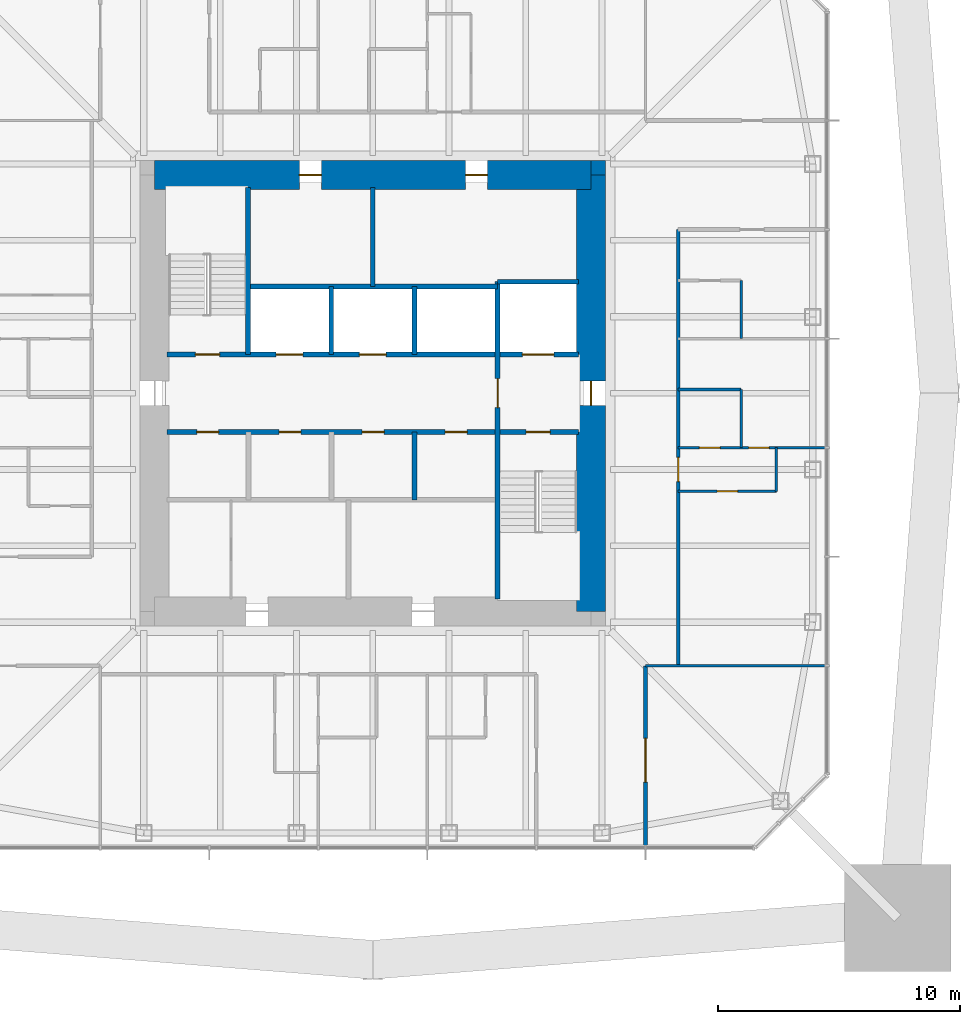
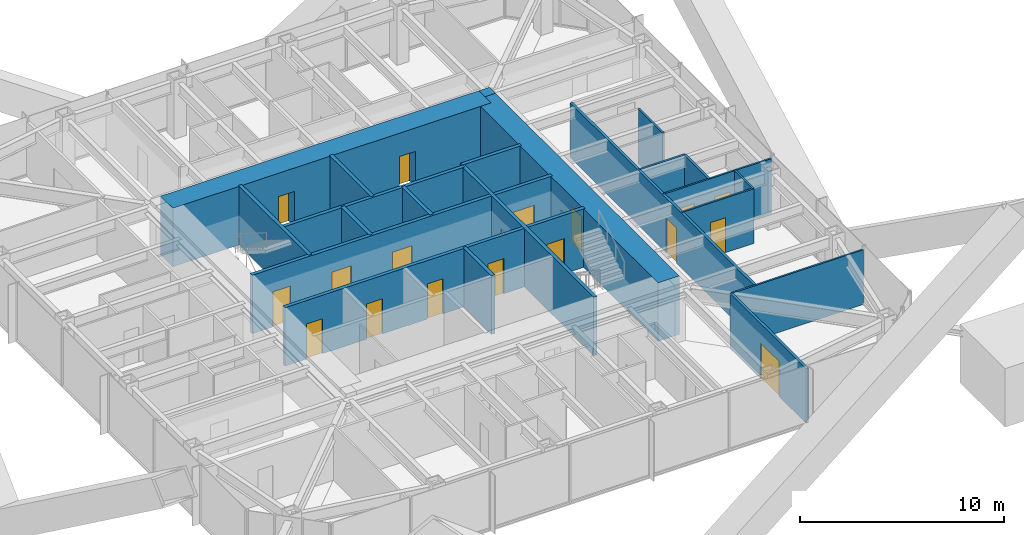
# One storey, part 9 of 13: 22 walls, 18 doors, 18 openings.
"""IFC4 building model written with IfcOpenShell, lengths in metres."""

from ifc_helpers import new_model, si_unit, direction, frame, frame_2d, origin, place, context, subcontext, project, spatial, rectangle, extrude, material, layer, layer_set, type_object, element, fill, save


model = new_model("IFC4")

# Units and contexts
model_context = context("Model", 3, precision=1e-05, world=origin(), true_north=direction((0.0, 1.0)))
body_context = subcontext(model_context, "Body", "Model", "MODEL_VIEW")
ifc_project = project(units=[si_unit("LENGTHUNIT", "METRE"), si_unit("AREAUNIT", "SQUARE_METRE"), si_unit("VOLUMEUNIT", "CUBIC_METRE"), si_unit("PLANEANGLEUNIT", "RADIAN"), si_unit("MASSUNIT", "GRAM", prefix="KILO")], contexts=[model_context])

# Site, building, storey
site_placement = place(None, origin())
site = spatial("IfcSite", under=ifc_project, at=site_placement, CompositionType="ELEMENT")
building_placement = place(site_placement, origin())
building = spatial("IfcBuilding", under=site, at=building_placement, Name="Iwan Alto Co-Living Towers", CompositionType="ELEMENT")
storey_placement = place(building_placement, frame((0.0, 0.0, 167.0)))
storey = spatial("IfcBuildingStorey", under=building, at=storey_placement, Name="L45", CompositionType="ELEMENT", Elevation=167.0)

# Wall, opening, door
ifc_material_1 = material(Name="Gypsum board")
ifc_layer_1 = layer(ifc_material_1, 0.02490234375, Name="Board", Category="Finish")
ifc_material_2 = material(Name="Steel ASTM A1003 ST33H cold-formed studs", Category="steel")
ifc_layer_2 = layer(ifc_material_2, 0.10009765625, Name="Studs", Category="Framing")
ifc_layer_3 = layer(ifc_material_1, 0.02490234375, Name="Board", Category="Finish")
ifc_layer_set_1 = layer_set([ifc_layer_1, ifc_layer_2, ifc_layer_3], Name="CORRIDOR WALL 150")
wall_type_1 = type_object("IfcWallType", Name="CORRIDOR WALL 150", PredefinedType="PARTITIONING", material=ifc_layer_set_1)
wall_1_placement = place(storey_placement, frame((12.60009765625, -11.25, 0.0), z_axis=(0.0, 0.0, 1.0), x_axis=(0.0, 1.0, 0.0)))
wall_1 = element("IfcWall", 1, at=wall_1_placement, inside=storey, type_object=wall_type_1, Name="Partition L45", PredefinedType="PARTITIONING", context=body_context, shape_type="SweptSolid", body=[
    extrude(rectangle(XDim=18.0, YDim=0.14990234375, at=frame_2d((9.0, 0.0))), origin(), (0.0, 0.0, 1.0), 3.27001953125),
])
opening_1_placement = place(wall_1_placement, frame((7.60009765625, 0.0, 0.0)))
opening_1 = element("IfcOpeningElement", 2, at=opening_1_placement, cuts=wall_1, Name="Opening D3", PredefinedType="OPENING", context=body_context, shape_type="SweptSolid", body=[
    extrude(rectangle(XDim=1.0, YDim=2.10009765625, at=frame_2d((0.5, 1.050048828125))), frame((0.0, 0.0849609375, 0.0), z_axis=(0.0, -1.0, 0.0), x_axis=(1.0, 0.0, 0.0)), (0.0, 0.0, 1.0), 0.169921875),
])
ifc_material_3 = material(Name="Steel frame with timber leaf", Category="steel")
door_type_1 = type_object("IfcDoorType", Name="FLAT ENTRANCE DOOR FD30S 1000X2100", OperationType="SINGLE_SWING_LEFT", PredefinedType="DOOR", material=ifc_material_3)
door_1_placement = place(opening_1_placement, frame((1.0, 0.0, 0.0), z_axis=(0.0, 0.0, 1.0), x_axis=(-1.0, 0.0, 0.0)))
door_1 = element("IfcDoor", 3, at=door_1_placement, inside=storey, type_object=door_type_1, Name="Apartment foyer door L45", OperationType="SINGLE_SWING_RIGHT", OverallHeight=2.10009765625, OverallWidth=1.0, PredefinedType="DOOR", context=body_context, shape_type="SweptSolid", body=[
    extrude(rectangle(XDim=1.0, YDim=2.10009765625, at=frame_2d((0.5, 1.050048828125))), frame((0.0, 0.02490234375, 0.0), z_axis=(0.0, -1.0, 0.0), x_axis=(1.0, 0.0, 0.0)), (0.0, 0.0, 1.0), 0.050048828125),
])
fill(opening_1, door_1)

wall_2_placement = place(storey_placement, frame((11.25, -18.68994140625, 0.0), z_axis=(0.0, 0.0, 1.0), x_axis=(0.0, 1.0, 0.0)))
wall_2 = element("IfcWall", 4, at=wall_2_placement, inside=storey, type_object=wall_type_1, Name="Partition L45", PredefinedType="PARTITIONING", context=body_context, shape_type="SweptSolid", body=[
    extrude(rectangle(XDim=7.43994140625, YDim=0.14990234375, at=frame_2d((3.719970703125, 0.0))), origin(), (0.0, 0.0, 1.0), 3.27001953125),
])
opening_2_placement = place(wall_2_placement, frame((2.64501953125, 0.0, 0.0)))
opening_2 = element("IfcOpeningElement", 5, at=opening_2_placement, cuts=wall_2, Name="Opening D9", PredefinedType="OPENING", context=body_context, shape_type="SweptSolid", body=[
    extrude(rectangle(XDim=1.800048828125, YDim=2.10009765625, at=frame_2d((0.89990234375, 1.050048828125))), frame((0.0, 0.0849609375, 0.0), z_axis=(0.0, -1.0, 0.0), x_axis=(1.0, 0.0, 0.0)), (0.0, 0.0, 1.0), 0.169921875),
])
ifc_material_4 = material(Name="Steel frame with timber leaf", Category="steel")
door_type_2 = type_object("IfcDoorType", Name="LOUNGE DOOR FD30S 1800X2100", OperationType="DOUBLE_DOOR_SINGLE_SWING", PredefinedType="DOOR", material=ifc_material_4)
door_2_placement = place(opening_2_placement, frame((1.800048828125, 0.0, 0.0), z_axis=(0.0, 0.0, 1.0), x_axis=(-1.0, 0.0, 0.0)))
door_2 = element("IfcDoor", 6, at=door_2_placement, inside=storey, type_object=door_type_2, Name="Courtyard lounge door L45", OperationType="DOUBLE_DOOR_SINGLE_SWING", OverallHeight=2.10009765625, OverallWidth=1.800048828125, PredefinedType="DOOR", context=body_context, shape_type="SweptSolid", body=[
    extrude(rectangle(XDim=1.800048828125, YDim=2.10009765625, at=frame_2d((0.89990234375, 1.050048828125))), frame((0.0, 0.02490234375, 0.0), z_axis=(0.0, -1.0, 0.0), x_axis=(1.0, 0.0, 0.0)), (0.0, 0.0, 1.0), 0.050048828125),
])
fill(opening_2, door_2)

# Wall
ifc_layer_4 = layer(ifc_material_1, 0.012451171875, Name="Board", Category="Finish")
ifc_layer_5 = layer(ifc_material_2, 0.074951171875, Name="Studs", Category="Framing")
ifc_layer_6 = layer(ifc_material_1, 0.012451171875, Name="Board", Category="Finish")
ifc_layer_set_2 = layer_set([ifc_layer_4, ifc_layer_5, ifc_layer_6], Name="PARTITION 100")
wall_type_2 = type_object("IfcWallType", Name="PARTITION 100", PredefinedType="PARTITIONING", material=ifc_layer_set_2)
wall_3_placement = place(storey_placement, frame((11.25, -11.25, 0.0), z_axis=(0.0, 0.0, 1.0), x_axis=(1.0, 0.0, 0.0)))
element("IfcWall", 7, at=wall_3_placement, inside=storey, type_object=wall_type_2, Name="Partition L45", PredefinedType="PARTITIONING", context=body_context, shape_type="SweptSolid", body=[
    extrude(rectangle(XDim=7.43994140625, YDim=0.10009765625, at=frame_2d((3.719970703125, 0.0))), origin(), (0.0, 0.0, 1.0), 3.27001953125),
])

# Wall, opening, door
wall_4_placement = place(storey_placement, frame((12.60009765625, -4.050048828125, 0.0), z_axis=(0.0, 0.0, 1.0), x_axis=(1.0, 0.0, 0.0)))
wall_4 = element("IfcWall", 8, at=wall_4_placement, inside=storey, type_object=wall_type_2, Name="Partition L45", PredefinedType="PARTITIONING", context=body_context, shape_type="SweptSolid", body=[
    extrude(rectangle(XDim=4.0498046875, YDim=0.10009765625, at=frame_2d((2.02490234375, 0.0))), origin(), (0.0, 0.0, 1.0), 3.27001953125),
])
opening_3_placement = place(wall_4_placement, frame((1.60009765625, 0.0, 0.0)))
opening_3 = element("IfcOpeningElement", 9, at=opening_3_placement, cuts=wall_4, Name="Opening D2", PredefinedType="OPENING", context=body_context, shape_type="SweptSolid", body=[
    extrude(rectangle(XDim=0.85009765625, YDim=2.10009765625, at=frame_2d((0.425048828125, 1.050048828125))), frame((0.0, 0.06005859375, 0.0), z_axis=(0.0, -1.0, 0.0), x_axis=(1.0, 0.0, 0.0)), (0.0, 0.0, 1.0), 0.1201171875),
])
ifc_material_5 = material(Name="Timber leaf in steel frame", Category="steel")
door_type_3 = type_object("IfcDoorType", Name="ROOM DOOR 850X2100", OperationType="SINGLE_SWING_LEFT", PredefinedType="DOOR", material=ifc_material_5)
door_3_placement = place(opening_3_placement, frame((0.85009765625, 0.0, 0.0), z_axis=(0.0, 0.0, 1.0), x_axis=(-1.0, 0.0, 0.0)))
door_3 = element("IfcDoor", 10, at=door_3_placement, inside=storey, type_object=door_type_3, Name="Apartment foyer door L45", OperationType="SINGLE_SWING_RIGHT", OverallHeight=2.10009765625, OverallWidth=0.85009765625, PredefinedType="DOOR", context=body_context, shape_type="SweptSolid", body=[
    extrude(rectangle(XDim=0.85009765625, YDim=2.10009765625, at=frame_2d((0.425048828125, 1.050048828125))), frame((0.0, 0.02490234375, 0.0), z_axis=(0.0, -1.0, 0.0), x_axis=(1.0, 0.0, 0.0)), (0.0, 0.0, 1.0), 0.050048828125),
])
fill(opening_3, door_3)

# Wall, openings, doors
wall_5_placement = place(storey_placement, frame((12.60009765625, -2.25, 0.0), z_axis=(0.0, 0.0, 1.0), x_axis=(1.0, 0.0, 0.0)))
wall_5 = element("IfcWall", 11, at=wall_5_placement, inside=storey, type_object=wall_type_2, Name="Partition L45", PredefinedType="PARTITIONING", context=body_context, shape_type="SweptSolid", body=[
    extrude(rectangle(XDim=6.08984375, YDim=0.10009765625, at=frame_2d((3.044921875, 0.0))), origin(), (0.0, 0.0, 1.0), 3.27001953125),
])
opening_4_placement = place(wall_5_placement, frame((2.89990234375, 0.0, 0.0)))
opening_4 = element("IfcOpeningElement", 12, at=opening_4_placement, cuts=wall_5, Name="Opening D2", PredefinedType="OPENING", context=body_context, shape_type="SweptSolid", body=[
    extrude(rectangle(XDim=0.85009765625, YDim=2.10009765625, at=frame_2d((0.425048828125, 1.050048828125))), frame((0.0, 0.06005859375, 0.0), z_axis=(0.0, -1.0, 0.0), x_axis=(1.0, 0.0, 0.0)), (0.0, 0.0, 1.0), 0.1201171875),
])
opening_5_placement = place(wall_5_placement, frame((0.875, 0.0, 0.0)))
opening_5 = element("IfcOpeningElement", 13, at=opening_5_placement, cuts=wall_5, Name="Opening D2", PredefinedType="OPENING", context=body_context, shape_type="SweptSolid", body=[
    extrude(rectangle(XDim=0.85009765625, YDim=2.10009765625, at=frame_2d((0.425048828125, 1.050048828125))), frame((0.0, 0.06005859375, 0.0), z_axis=(0.0, -1.0, 0.0), x_axis=(1.0, 0.0, 0.0)), (0.0, 0.0, 1.0), 0.1201171875),
])
door_4_placement = place(opening_4_placement, origin())
door_4 = element("IfcDoor", 14, at=door_4_placement, inside=storey, type_object=door_type_3, Name="Bedroom door L45", OperationType="SINGLE_SWING_LEFT", OverallHeight=2.10009765625, OverallWidth=0.85009765625, PredefinedType="DOOR", context=body_context, shape_type="SweptSolid", body=[
    extrude(rectangle(XDim=0.85009765625, YDim=2.10009765625, at=frame_2d((0.425048828125, 1.050048828125))), frame((0.0, 0.02490234375, 0.0), z_axis=(0.0, -1.0, 0.0), x_axis=(1.0, 0.0, 0.0)), (0.0, 0.0, 1.0), 0.050048828125),
])
fill(opening_4, door_4)
door_5_placement = place(opening_5_placement, origin())
door_5 = element("IfcDoor", 15, at=door_5_placement, inside=storey, type_object=door_type_3, Name="Bathroom door L45", OperationType="SINGLE_SWING_LEFT", OverallHeight=2.10009765625, OverallWidth=0.85009765625, PredefinedType="DOOR", context=body_context, shape_type="SweptSolid", body=[
    extrude(rectangle(XDim=0.85009765625, YDim=2.10009765625, at=frame_2d((0.425048828125, 1.050048828125))), frame((0.0, 0.02490234375, 0.0), z_axis=(0.0, -1.0, 0.0), x_axis=(1.0, 0.0, 0.0)), (0.0, 0.0, 1.0), 0.050048828125),
])
fill(opening_5, door_5)

# Wall
wall_6_placement = place(storey_placement, frame((16.64990234375, -4.050048828125, 0.0), z_axis=(0.0, 0.0, 1.0), x_axis=(0.0, 1.0, 0.0)))
element("IfcWall", 16, at=wall_6_placement, inside=storey, type_object=wall_type_2, Name="Partition L45", PredefinedType="PARTITIONING", context=body_context, shape_type="SweptSolid", body=[
    extrude(rectangle(XDim=1.800048828125, YDim=0.10009765625, at=frame_2d((0.89990234375, 0.0))), origin(), (0.0, 0.0, 1.0), 3.27001953125),
])

# Wall, openings, doors
ifc_material_6 = material(Name="Concrete f'c 70 MPa", Category="concrete")
ifc_layer_7 = layer(ifc_material_6, 0.199951171875)
ifc_layer_set_3 = layer_set([ifc_layer_7], Name="SHAFT WALL 200")
wall_type_3 = type_object("IfcWallType", Name="SHAFT WALL 200", PredefinedType="SOLIDWALL", material=ifc_layer_set_3)
wall_7_placement = place(storey_placement, frame((-8.489990234375, -1.60009765625, 0.0), z_axis=(0.0, 0.0, 1.0), x_axis=(1.0, 0.0, 0.0)))
wall_7 = element("IfcWall", 17, at=wall_7_placement, inside=storey, type_object=wall_type_3, Name="Shaft wall L45", PredefinedType="SOLIDWALL", context=body_context, shape_type="SweptSolid", body=[
    extrude(rectangle(XDim=16.97998046875, YDim=0.199951171875, at=frame_2d((8.489990234375, 0.0))), origin(), (0.0, 0.0, 1.0), 3.5),
])
opening_6_placement = place(wall_7_placement, frame((14.81005859375, 0.0, 0.0)))
opening_6 = element("IfcOpeningElement", 18, at=opening_6_placement, cuts=wall_7, Name="Opening D5", PredefinedType="OPENING", context=body_context, shape_type="SweptSolid", body=[
    extrude(rectangle(XDim=1.0, YDim=2.10009765625, at=frame_2d((0.5, 1.050048828125))), frame((0.0, 0.10986328125, 0.0), z_axis=(0.0, -1.0, 0.0), x_axis=(1.0, 0.0, 0.0)), (0.0, 0.0, 1.0), 0.219970703125),
])
opening_7_placement = place(wall_7_placement, frame((1.23193359375, 0.0, 0.0)))
opening_7 = element("IfcOpeningElement", 19, at=opening_7_placement, cuts=wall_7, Name="Opening D15", PredefinedType="OPENING", context=body_context, shape_type="SweptSolid", body=[
    extrude(rectangle(XDim=0.89990234375, YDim=2.10009765625, at=frame_2d((0.449951171875, 1.050048828125))), frame((0.0, 0.10986328125, 0.0), z_axis=(0.0, -1.0, 0.0), x_axis=(1.0, 0.0, 0.0)), (0.0, 0.0, 1.0), 0.219970703125),
])
opening_8_placement = place(wall_7_placement, frame((4.626953125, 0.0, 0.0)))
opening_8 = element("IfcOpeningElement", 20, at=opening_8_placement, cuts=wall_7, Name="Opening D15", PredefinedType="OPENING", context=body_context, shape_type="SweptSolid", body=[
    extrude(rectangle(XDim=0.89990234375, YDim=2.10009765625, at=frame_2d((0.449951171875, 1.050048828125))), frame((0.0, 0.10986328125, 0.0), z_axis=(0.0, -1.0, 0.0), x_axis=(1.0, 0.0, 0.0)), (0.0, 0.0, 1.0), 0.219970703125),
])
opening_9_placement = place(wall_7_placement, frame((8.052001953125, 0.0, 0.0)))
opening_9 = element("IfcOpeningElement", 21, at=opening_9_placement, cuts=wall_7, Name="Opening D15", PredefinedType="OPENING", context=body_context, shape_type="SweptSolid", body=[
    extrude(rectangle(XDim=0.89990234375, YDim=2.10009765625, at=frame_2d((0.449951171875, 1.050048828125))), frame((0.0, 0.10986328125, 0.0), z_axis=(0.0, -1.0, 0.0), x_axis=(1.0, 0.0, 0.0)), (0.0, 0.0, 1.0), 0.219970703125),
])
opening_10_placement = place(wall_7_placement, frame((11.47802734375, 0.0, 0.0)))
opening_10 = element("IfcOpeningElement", 22, at=opening_10_placement, cuts=wall_7, Name="Opening D15", PredefinedType="OPENING", context=body_context, shape_type="SweptSolid", body=[
    extrude(rectangle(XDim=0.89990234375, YDim=2.10009765625, at=frame_2d((0.449951171875, 1.050048828125))), frame((0.0, 0.10986328125, 0.0), z_axis=(0.0, -1.0, 0.0), x_axis=(1.0, 0.0, 0.0)), (0.0, 0.0, 1.0), 0.219970703125),
])
ifc_material_7 = material(Name="Steel frame with timber leaf", Category="steel")
door_type_4 = type_object("IfcDoorType", Name="CORE ROOM DOOR FD60S 900X2100", OperationType="SINGLE_SWING_LEFT", PredefinedType="DOOR", material=ifc_material_7)
door_6_placement = place(opening_7_placement, frame((0.89990234375, 0.0, 0.0), z_axis=(0.0, 0.0, 1.0), x_axis=(-1.0, 0.0, 0.0)))
door_6 = element("IfcDoor", 23, at=door_6_placement, inside=storey, type_object=door_type_4, Name="Linen store door L45", OperationType="SINGLE_SWING_LEFT", OverallHeight=2.10009765625, OverallWidth=0.89990234375, PredefinedType="DOOR", context=body_context, shape_type="SweptSolid", body=[
    extrude(rectangle(XDim=0.89990234375, YDim=2.10009765625, at=frame_2d((0.449951171875, 1.050048828125))), frame((0.0, 0.02490234375, 0.0), z_axis=(0.0, -1.0, 0.0), x_axis=(1.0, 0.0, 0.0)), (0.0, 0.0, 1.0), 0.050048828125),
])
fill(opening_7, door_6)
door_7_placement = place(opening_8_placement, frame((0.89990234375, 0.0, 0.0), z_axis=(0.0, 0.0, 1.0), x_axis=(-1.0, 0.0, 0.0)))
door_7 = element("IfcDoor", 24, at=door_7_placement, inside=storey, type_object=door_type_4, Name="Bulk store door L45", OperationType="SINGLE_SWING_RIGHT", OverallHeight=2.10009765625, OverallWidth=0.89990234375, PredefinedType="DOOR", context=body_context, shape_type="SweptSolid", body=[
    extrude(rectangle(XDim=0.89990234375, YDim=2.10009765625, at=frame_2d((0.449951171875, 1.050048828125))), frame((0.0, 0.02490234375, 0.0), z_axis=(0.0, -1.0, 0.0), x_axis=(1.0, 0.0, 0.0)), (0.0, 0.0, 1.0), 0.050048828125),
])
fill(opening_8, door_7)
door_8_placement = place(opening_9_placement, frame((0.89990234375, 0.0, 0.0), z_axis=(0.0, 0.0, 1.0), x_axis=(-1.0, 0.0, 0.0)))
door_8 = element("IfcDoor", 25, at=door_8_placement, inside=storey, type_object=door_type_4, Name="Bulk store door L45", OperationType="SINGLE_SWING_RIGHT", OverallHeight=2.10009765625, OverallWidth=0.89990234375, PredefinedType="DOOR", context=body_context, shape_type="SweptSolid", body=[
    extrude(rectangle(XDim=0.89990234375, YDim=2.10009765625, at=frame_2d((0.449951171875, 1.050048828125))), frame((0.0, 0.02490234375, 0.0), z_axis=(0.0, -1.0, 0.0), x_axis=(1.0, 0.0, 0.0)), (0.0, 0.0, 1.0), 0.050048828125),
])
fill(opening_9, door_8)
door_9_placement = place(opening_10_placement, frame((0.89990234375, 0.0, 0.0), z_axis=(0.0, 0.0, 1.0), x_axis=(-1.0, 0.0, 0.0)))
door_9 = element("IfcDoor", 26, at=door_9_placement, inside=storey, type_object=door_type_4, Name="Housekeeping store door L45", OperationType="SINGLE_SWING_RIGHT", OverallHeight=2.10009765625, OverallWidth=0.89990234375, PredefinedType="DOOR", context=body_context, shape_type="SweptSolid", body=[
    extrude(rectangle(XDim=0.89990234375, YDim=2.10009765625, at=frame_2d((0.449951171875, 1.050048828125))), frame((0.0, 0.02490234375, 0.0), z_axis=(0.0, -1.0, 0.0), x_axis=(1.0, 0.0, 0.0)), (0.0, 0.0, 1.0), 0.050048828125),
])
fill(opening_10, door_9)
ifc_material_8 = material(Name="Steel frame with timber leaf", Category="steel")
door_type_5 = type_object("IfcDoorType", Name="STAIR DOOR FD120S 1000X2100", OperationType="SINGLE_SWING_LEFT", PredefinedType="DOOR", material=ifc_material_8)
door_10_placement = place(opening_6_placement, frame((1.0, 0.0, 0.0), z_axis=(0.0, 0.0, 1.0), x_axis=(-1.0, 0.0, 0.0)))
door_10 = element("IfcDoor", 27, at=door_10_placement, inside=storey, type_object=door_type_5, Name="Stair S2 door L45", OperationType="SINGLE_SWING_RIGHT", OverallHeight=2.10009765625, OverallWidth=1.0, PredefinedType="DOOR", context=body_context, shape_type="SweptSolid", body=[
    extrude(rectangle(XDim=1.0, YDim=2.10009765625, at=frame_2d((0.5, 1.050048828125))), frame((0.0, 0.02490234375, 0.0), z_axis=(0.0, -1.0, 0.0), x_axis=(1.0, 0.0, 0.0)), (0.0, 0.0, 1.0), 0.050048828125),
])
fill(opening_6, door_10)

wall_8_placement = place(storey_placement, frame((-8.489990234375, 1.60009765625, 0.0), z_axis=(0.0, 0.0, 1.0), x_axis=(1.0, 0.0, 0.0)))
wall_8 = element("IfcWall", 28, at=wall_8_placement, inside=storey, type_object=wall_type_3, Name="Shaft wall L45", PredefinedType="SOLIDWALL", context=body_context, shape_type="SweptSolid", body=[
    extrude(rectangle(XDim=16.97998046875, YDim=0.199951171875, at=frame_2d((8.489990234375, 0.0))), origin(), (0.0, 0.0, 1.0), 3.5),
])
opening_11_placement = place(wall_8_placement, frame((1.169921875, 0.0, 0.0)))
opening_11 = element("IfcOpeningElement", 29, at=opening_11_placement, cuts=wall_8, Name="Opening D5", PredefinedType="OPENING", context=body_context, shape_type="SweptSolid", body=[
    extrude(rectangle(XDim=1.0, YDim=2.10009765625, at=frame_2d((0.5, 1.050048828125))), frame((0.0, 0.10986328125, 0.0), z_axis=(0.0, -1.0, 0.0), x_axis=(1.0, 0.0, 0.0)), (0.0, 0.0, 1.0), 0.219970703125),
])
opening_12_placement = place(wall_8_placement, frame((4.506103515625, 0.0, 0.0)))
opening_12 = element("IfcOpeningElement", 30, at=opening_12_placement, cuts=wall_8, Name="Opening LD", PredefinedType="OPENING", context=body_context, shape_type="SweptSolid", body=[
    extrude(rectangle(XDim=1.10009765625, YDim=2.10009765625, at=frame_2d((0.550048828125, 1.050048828125))), frame((0.0, 0.10986328125, 0.0), z_axis=(0.0, -1.0, 0.0), x_axis=(1.0, 0.0, 0.0)), (0.0, 0.0, 1.0), 0.219970703125),
])
opening_13_placement = place(wall_8_placement, frame((7.93994140625, 0.0, 0.0)))
opening_13 = element("IfcOpeningElement", 31, at=opening_13_placement, cuts=wall_8, Name="Opening LD", PredefinedType="OPENING", context=body_context, shape_type="SweptSolid", body=[
    extrude(rectangle(XDim=1.10009765625, YDim=2.10009765625, at=frame_2d((0.550048828125, 1.050048828125))), frame((0.0, 0.10986328125, 0.0), z_axis=(0.0, -1.0, 0.0), x_axis=(1.0, 0.0, 0.0)), (0.0, 0.0, 1.0), 0.219970703125),
])
opening_14_placement = place(wall_8_placement, frame((14.659912109375, 0.0, 0.0)))
opening_14 = element("IfcOpeningElement", 32, at=opening_14_placement, cuts=wall_8, Name="Opening LD2", PredefinedType="OPENING", context=body_context, shape_type="SweptSolid", body=[
    extrude(rectangle(XDim=1.300048828125, YDim=2.10009765625, at=frame_2d((0.64990234375, 1.050048828125))), frame((0.0, 0.10986328125, 0.0), z_axis=(0.0, -1.0, 0.0), x_axis=(1.0, 0.0, 0.0)), (0.0, 0.0, 1.0), 0.219970703125),
])
ifc_material_9 = material(Name="Steel frame with timber leaf", Category="steel")
door_type_6 = type_object("IfcDoorType", Name="LIFT LANDING DOOR 1100X2100", OperationType="DOUBLE_DOOR_SLIDING", PredefinedType="DOOR", material=ifc_material_9)
door_11_placement = place(opening_12_placement, origin())
door_11 = element("IfcDoor", 33, at=door_11_placement, inside=storey, type_object=door_type_6, Name="Lift P3-1 landing door L45", OperationType="DOUBLE_DOOR_SLIDING", OverallHeight=2.10009765625, OverallWidth=1.10009765625, PredefinedType="DOOR", context=body_context, shape_type="SweptSolid", body=[
    extrude(rectangle(XDim=1.10009765625, YDim=2.10009765625, at=frame_2d((0.550048828125, 1.050048828125))), frame((0.0, 0.02490234375, 0.0), z_axis=(0.0, -1.0, 0.0), x_axis=(1.0, 0.0, 0.0)), (0.0, 0.0, 1.0), 0.050048828125),
])
fill(opening_12, door_11)
door_12_placement = place(opening_13_placement, origin())
door_12 = element("IfcDoor", 34, at=door_12_placement, inside=storey, type_object=door_type_6, Name="Lift P3-2 landing door L45", OperationType="DOUBLE_DOOR_SLIDING", OverallHeight=2.10009765625, OverallWidth=1.10009765625, PredefinedType="DOOR", context=body_context, shape_type="SweptSolid", body=[
    extrude(rectangle(XDim=1.10009765625, YDim=2.10009765625, at=frame_2d((0.550048828125, 1.050048828125))), frame((0.0, 0.02490234375, 0.0), z_axis=(0.0, -1.0, 0.0), x_axis=(1.0, 0.0, 0.0)), (0.0, 0.0, 1.0), 0.050048828125),
])
fill(opening_13, door_12)
ifc_material_10 = material(Name="Steel frame with timber leaf", Category="steel")
door_type_7 = type_object("IfcDoorType", Name="LIFT LANDING DOOR 1300X2100", OperationType="SLIDING_TO_LEFT", PredefinedType="DOOR", material=ifc_material_10)
door_13_placement = place(opening_14_placement, origin())
door_13 = element("IfcDoor", 35, at=door_13_placement, inside=storey, type_object=door_type_7, Name="Lift FL1 landing door L45", OperationType="SLIDING_TO_LEFT", OverallHeight=2.10009765625, OverallWidth=1.300048828125, PredefinedType="DOOR", context=body_context, shape_type="SweptSolid", body=[
    extrude(rectangle(XDim=1.300048828125, YDim=2.10009765625, at=frame_2d((0.64990234375, 1.050048828125))), frame((0.0, 0.02490234375, 0.0), z_axis=(0.0, -1.0, 0.0), x_axis=(1.0, 0.0, 0.0)), (0.0, 0.0, 1.0), 0.050048828125),
])
fill(opening_14, door_13)
door_14_placement = place(opening_11_placement, origin())
door_14 = element("IfcDoor", 36, at=door_14_placement, inside=storey, type_object=door_type_5, Name="Stair S1 door L45", OperationType="SINGLE_SWING_RIGHT", OverallHeight=2.10009765625, OverallWidth=1.0, PredefinedType="DOOR", context=body_context, shape_type="SweptSolid", body=[
    extrude(rectangle(XDim=1.0, YDim=2.10009765625, at=frame_2d((0.5, 1.050048828125))), frame((0.0, 0.02490234375, 0.0), z_axis=(0.0, -1.0, 0.0), x_axis=(1.0, 0.0, 0.0)), (0.0, 0.0, 1.0), 0.050048828125),
])
fill(opening_11, door_14)

# Walls
wall_9_placement = place(storey_placement, frame((-5.14990234375, 4.39990234375, 0.0), z_axis=(0.0, 0.0, 1.0), x_axis=(1.0, 0.0, 0.0)))
element("IfcWall", 37, at=wall_9_placement, inside=storey, type_object=wall_type_3, Name="Shaft wall L45", PredefinedType="SOLIDWALL", context=body_context, shape_type="SweptSolid", body=[
    extrude(rectangle(XDim=10.2998046875, YDim=0.199951171875, at=frame_2d((5.14990234375, 0.0))), origin(), (0.0, 0.0, 1.0), 3.5),
])
wall_10_placement = place(storey_placement, frame((5.14990234375, 4.60009765625, 0.0), z_axis=(0.0, 0.0, 1.0), x_axis=(1.0, 0.0, 0.0)))
element("IfcWall", 38, at=wall_10_placement, inside=storey, type_object=wall_type_3, Name="Shaft wall L45", PredefinedType="SOLIDWALL", context=body_context, shape_type="SweptSolid", body=[
    extrude(rectangle(XDim=3.340087890625, YDim=0.199951171875, at=frame_2d((1.669921875, 0.0))), origin(), (0.0, 0.0, 1.0), 3.5),
])

# Wall, opening, door
wall_11_placement = place(storey_placement, frame((5.14990234375, -8.489990234375, 0.0), z_axis=(0.0, 0.0, 1.0), x_axis=(0.0, 1.0, 0.0)))
wall_11 = element("IfcWall", 39, at=wall_11_placement, inside=storey, type_object=wall_type_3, Name="Shaft wall L45", PredefinedType="SOLIDWALL", context=body_context, shape_type="SweptSolid", body=[
    extrude(rectangle(XDim=13.090087890625, YDim=0.199951171875, at=frame_2d((6.544921875, 0.0))), origin(), (0.0, 0.0, 1.0), 3.5),
])
opening_15_placement = place(wall_11_placement, frame((7.889892578125, 0.0, 0.0)))
opening_15 = element("IfcOpeningElement", 40, at=opening_15_placement, cuts=wall_11, Name="Opening D6", PredefinedType="OPENING", context=body_context, shape_type="SweptSolid", body=[
    extrude(rectangle(XDim=1.199951171875, YDim=2.10009765625, at=frame_2d((0.60009765625, 1.050048828125))), frame((0.0, 0.10986328125, 0.0), z_axis=(0.0, -1.0, 0.0), x_axis=(1.0, 0.0, 0.0)), (0.0, 0.0, 1.0), 0.219970703125),
])
ifc_material_11 = material(Name="Steel frame with timber leaf", Category="steel")
door_type_8 = type_object("IfcDoorType", Name="LOBBY DOOR FD120S 1200X2100", OperationType="SINGLE_SWING_LEFT", PredefinedType="DOOR", material=ifc_material_11)
door_15_placement = place(opening_15_placement, frame((1.199951171875, 0.0, 0.0), z_axis=(0.0, 0.0, 1.0), x_axis=(-1.0, 0.0, 0.0)))
door_15 = element("IfcDoor", 41, at=door_15_placement, inside=storey, type_object=door_type_8, Name="Firefighting lobby door L45", OperationType="SINGLE_SWING_RIGHT", OverallHeight=2.10009765625, OverallWidth=1.199951171875, PredefinedType="DOOR", context=body_context, shape_type="SweptSolid", body=[
    extrude(rectangle(XDim=1.199951171875, YDim=2.10009765625, at=frame_2d((0.60009765625, 1.050048828125))), frame((0.0, 0.02490234375, 0.0), z_axis=(0.0, -1.0, 0.0), x_axis=(1.0, 0.0, 0.0)), (0.0, 0.0, 1.0), 0.050048828125),
])
fill(opening_15, door_15)

# Walls
for number, where, z_axis, x_axis, name in (
    (42, (1.72509765625, -4.39990234375, 0.0), (0.0, 0.0, 1.0), (0.0, 1.0, 0.0), "Shaft wall L45"),
    (43, (1.717041015625, 1.60009765625, 0.0), (0.0, 0.0, 1.0), (0.0, 1.0, 0.0), "Shaft wall L45"),
):
    element("IfcWall", number, at=place(storey_placement, frame(where, z_axis=z_axis, x_axis=x_axis)), inside=storey, type_object=wall_type_3, Name=name, PredefinedType="SOLIDWALL", context=body_context, shape_type="SweptSolid", body=[
        extrude(rectangle(XDim=2.7998046875, YDim=0.199951171875, at=frame_2d((1.39990234375, 0.0))), origin(), (0.0, 0.0, 1.0), 3.5),
    ])
wall_12_placement = place(storey_placement, frame((0.0, 4.39990234375, 0.0), z_axis=(0.0, 0.0, 1.0), x_axis=(0.0, 1.0, 0.0)))
element("IfcWall", 44, at=wall_12_placement, inside=storey, type_object=wall_type_3, Name="Shaft wall L45", PredefinedType="SOLIDWALL", context=body_context, shape_type="SweptSolid", body=[
    extrude(rectangle(XDim=4.090087890625, YDim=0.199951171875, at=frame_2d((2.044921875, 0.0))), origin(), (0.0, 0.0, 1.0), 3.5),
])
wall_13_placement = place(storey_placement, frame((-1.717041015625, 1.60009765625, 0.0), z_axis=(0.0, 0.0, 1.0), x_axis=(0.0, 1.0, 0.0)))
element("IfcWall", 45, at=wall_13_placement, inside=storey, type_object=wall_type_3, Name="Shaft wall L45", PredefinedType="SOLIDWALL", context=body_context, shape_type="SweptSolid", body=[
    extrude(rectangle(XDim=2.7998046875, YDim=0.199951171875, at=frame_2d((1.39990234375, 0.0))), origin(), (0.0, 0.0, 1.0), 3.5),
])
wall_14_placement = place(storey_placement, frame((-5.14990234375, 1.60009765625, 0.0), z_axis=(0.0, 0.0, 1.0), x_axis=(0.0, 1.0, 0.0)))
element("IfcWall", 46, at=wall_14_placement, inside=storey, type_object=wall_type_3, Name="Shaft wall L45", PredefinedType="SOLIDWALL", context=body_context, shape_type="SweptSolid", body=[
    extrude(rectangle(XDim=6.889892578125, YDim=0.199951171875, at=frame_2d((3.44482421875, 0.0))), origin(), (0.0, 0.0, 1.0), 3.5),
])
ifc_material_12 = material(Name="Concrete f'c 70 MPa", Category="concrete")
ifc_layer_8 = layer(ifc_material_12, 0.60009765625)
ifc_layer_set_4 = layer_set([ifc_layer_8], Name="T1 CORE CORNER FILL 600")
wall_type_4 = type_object("IfcWallType", Name="T1 CORE CORNER FILL 600", PredefinedType="SOLIDWALL", material=ifc_layer_set_4)
wall_15_placement = place(storey_placement, frame((9.0, 9.300048828125, 0.0), z_axis=(0.0, 0.0, 1.0), x_axis=(1.0, 0.0, 0.0)))
element("IfcWall", 47, at=wall_15_placement, inside=storey, type_object=wall_type_4, Name="T1 core corner NE L45", PredefinedType="SOLIDWALL", context=body_context, shape_type="SweptSolid", body=[
    extrude(rectangle(XDim=0.60009765625, YDim=0.60009765625, at=frame_2d((0.300048828125, 0.0))), origin(), (0.0, 0.0, 1.0), 3.5),
])

# Wall, openings, doors
ifc_material_13 = material(Name="Concrete f'c 70 MPa", Category="concrete")
ifc_layer_9 = layer(ifc_material_13, 1.199951171875)
ifc_layer_set_5 = layer_set([ifc_layer_9], Name="T1 CORE WALL 1200")
wall_type_5 = type_object("IfcWallType", Name="T1 CORE WALL 1200", PredefinedType="SHEAR", material=ifc_layer_set_5)
wall_16_placement = place(storey_placement, frame((9.0, 9.0, 0.0), z_axis=(0.0, 0.0, 1.0), x_axis=(-1.0, 0.0, 0.0)))
wall_16 = element("IfcWall", 48, at=wall_16_placement, inside=storey, type_object=wall_type_5, Name="T1 core wall N L45", PredefinedType="SHEAR", context=body_context, shape_type="SweptSolid", body=[
    extrude(rectangle(XDim=18.0, YDim=1.199951171875, at=frame_2d((9.0, 0.0))), origin(), (0.0, 0.0, 1.0), 3.5),
])
opening_16_placement = place(wall_16_placement, frame((11.125, 0.0, 0.0)))
opening_16 = element("IfcOpeningElement", 49, at=opening_16_placement, cuts=wall_16, Name="Opening D8", PredefinedType="OPENING", context=body_context, shape_type="SweptSolid", body=[
    extrude(rectangle(XDim=0.89990234375, YDim=2.10009765625, at=frame_2d((0.449951171875, 1.050048828125))), frame((0.0, 0.60986328125, 0.0), z_axis=(0.0, -1.0, 0.0), x_axis=(1.0, 0.0, 0.0)), (0.0, 0.0, 1.0), 1.219970703125),
])
opening_17_placement = place(wall_16_placement, frame((4.27490234375, 0.0, 0.0)))
opening_17 = element("IfcOpeningElement", 50, at=opening_17_placement, cuts=wall_16, Name="Opening D8", PredefinedType="OPENING", context=body_context, shape_type="SweptSolid", body=[
    extrude(rectangle(XDim=0.89990234375, YDim=2.10009765625, at=frame_2d((0.449951171875, 1.050048828125))), frame((0.0, 0.60986328125, 0.0), z_axis=(0.0, -1.0, 0.0), x_axis=(1.0, 0.0, 0.0)), (0.0, 0.0, 1.0), 1.219970703125),
])
ifc_material_14 = material(Name="Steel frame with timber leaf", Category="steel")
door_type_9 = type_object("IfcDoorType", Name="RISER DOOR FD120 900X2100", OperationType="SINGLE_SWING_LEFT", PredefinedType="DOOR", material=ifc_material_14)
door_16_placement = place(opening_16_placement, origin())
door_16 = element("IfcDoor", 51, at=door_16_placement, inside=storey, type_object=door_type_9, Name="Electrical riser core door L45", OperationType="SINGLE_SWING_RIGHT", OverallHeight=2.10009765625, OverallWidth=0.89990234375, PredefinedType="DOOR", context=body_context, shape_type="SweptSolid", body=[
    extrude(rectangle(XDim=0.89990234375, YDim=2.10009765625, at=frame_2d((0.449951171875, 1.050048828125))), frame((0.0, 0.02490234375, 0.0), z_axis=(0.0, -1.0, 0.0), x_axis=(1.0, 0.0, 0.0)), (0.0, 0.0, 1.0), 0.050048828125),
])
fill(opening_16, door_16)
door_17_placement = place(opening_17_placement, origin())
door_17 = element("IfcDoor", 52, at=door_17_placement, inside=storey, type_object=door_type_9, Name="Water and drainage riser core door L45", OperationType="SINGLE_SWING_RIGHT", OverallHeight=2.10009765625, OverallWidth=0.89990234375, PredefinedType="DOOR", context=body_context, shape_type="SweptSolid", body=[
    extrude(rectangle(XDim=0.89990234375, YDim=2.10009765625, at=frame_2d((0.449951171875, 1.050048828125))), frame((0.0, 0.02490234375, 0.0), z_axis=(0.0, -1.0, 0.0), x_axis=(1.0, 0.0, 0.0)), (0.0, 0.0, 1.0), 0.050048828125),
])
fill(opening_17, door_17)

# Wall, opening, door
wall_17_placement = place(storey_placement, frame((9.0, -9.0, 0.0), z_axis=(0.0, 0.0, 1.0), x_axis=(0.0, 1.0, 0.0)))
wall_17 = element("IfcWall", 53, at=wall_17_placement, inside=storey, type_object=wall_type_5, Name="T1 core wall E L45", PredefinedType="SHEAR", context=body_context, shape_type="SweptSolid", body=[
    extrude(rectangle(XDim=18.0, YDim=1.199951171875, at=frame_2d((9.0, 0.0))), origin(), (0.0, 0.0, 1.0), 3.5),
])
opening_18_placement = place(wall_17_placement, frame((8.5, 0.0, 0.0)))
opening_18 = element("IfcOpeningElement", 54, at=opening_18_placement, cuts=wall_17, Name="Opening D7", PredefinedType="OPENING", context=body_context, shape_type="SweptSolid", body=[
    extrude(rectangle(XDim=1.0, YDim=2.10009765625, at=frame_2d((0.5, 1.050048828125))), frame((0.0, 0.60986328125, 0.0), z_axis=(0.0, -1.0, 0.0), x_axis=(1.0, 0.0, 0.0)), (0.0, 0.0, 1.0), 1.219970703125),
])
ifc_material_15 = material(Name="Steel frame with timber leaf", Category="steel")
door_type_10 = type_object("IfcDoorType", Name="CORE DOOR FD120S 1000X2100", OperationType="SINGLE_SWING_LEFT", PredefinedType="DOOR", material=ifc_material_15)
door_18_placement = place(opening_18_placement, origin())
door_18 = element("IfcDoor", 55, at=door_18_placement, inside=storey, type_object=door_type_10, Name="Firefighting lobby core door L45", OperationType="SINGLE_SWING_LEFT", OverallHeight=2.10009765625, OverallWidth=1.0, PredefinedType="DOOR", context=body_context, shape_type="SweptSolid", body=[
    extrude(rectangle(XDim=1.0, YDim=2.10009765625, at=frame_2d((0.5, 1.050048828125))), frame((0.0, 0.02490234375, 0.0), z_axis=(0.0, -1.0, 0.0), x_axis=(1.0, 0.0, 0.0)), (0.0, 0.0, 1.0), 0.050048828125),
])
fill(opening_18, door_18)

# Walls
ifc_material_16 = material(Name="Cement board")
ifc_layer_10 = layer(ifc_material_16, 0.012451171875, Name="Board", Category="Finish")
ifc_layer_11 = layer(ifc_material_2, 0.094970703125, Name="Studs", Category="Framing")
ifc_layer_12 = layer(ifc_material_16, 0.012451171875, Name="Board", Category="Finish")
ifc_layer_set_6 = layer_set([ifc_layer_10, ifc_layer_11, ifc_layer_12], Name="WET AREA PARTITION 120")
wall_type_6 = type_object("IfcWallType", Name="WET AREA PARTITION 120", PredefinedType="PARTITIONING", material=ifc_layer_set_6)
wall_18_placement = place(storey_placement, frame((12.60009765625, 0.14990234375, 0.0), z_axis=(0.0, 0.0, 1.0), x_axis=(1.0, 0.0, 0.0)))
element("IfcWall", 56, at=wall_18_placement, inside=storey, type_object=wall_type_6, Name="Partition L45", PredefinedType="PARTITIONING", context=body_context, shape_type="SweptSolid", body=[
    extrude(rectangle(XDim=2.599853515625, YDim=0.1201171875, at=frame_2d((1.2998046875, 0.0))), origin(), (0.0, 0.0, 1.0), 3.27001953125),
])
for number, where, z_axis, x_axis, name in (
    (57, (15.199951171875, -2.25, 0.0), (0.0, 0.0, 1.0), (0.0, 1.0, 0.0), "Partition L45"),
    (58, (15.199951171875, 2.25, 0.0), (0.0, 0.0, 1.0), (0.0, 1.0, 0.0), "Partition L45"),
):
    element("IfcWall", number, at=place(storey_placement, frame(where, z_axis=z_axis, x_axis=x_axis)), inside=storey, type_object=wall_type_6, Name=name, PredefinedType="PARTITIONING", context=body_context, shape_type="SweptSolid", body=[
        extrude(rectangle(XDim=2.39990234375, YDim=0.1201171875, at=frame_2d((1.199951171875, 0.0))), origin(), (0.0, 0.0, 1.0), 3.27001953125),
    ])

save(model, "model.ifc")
